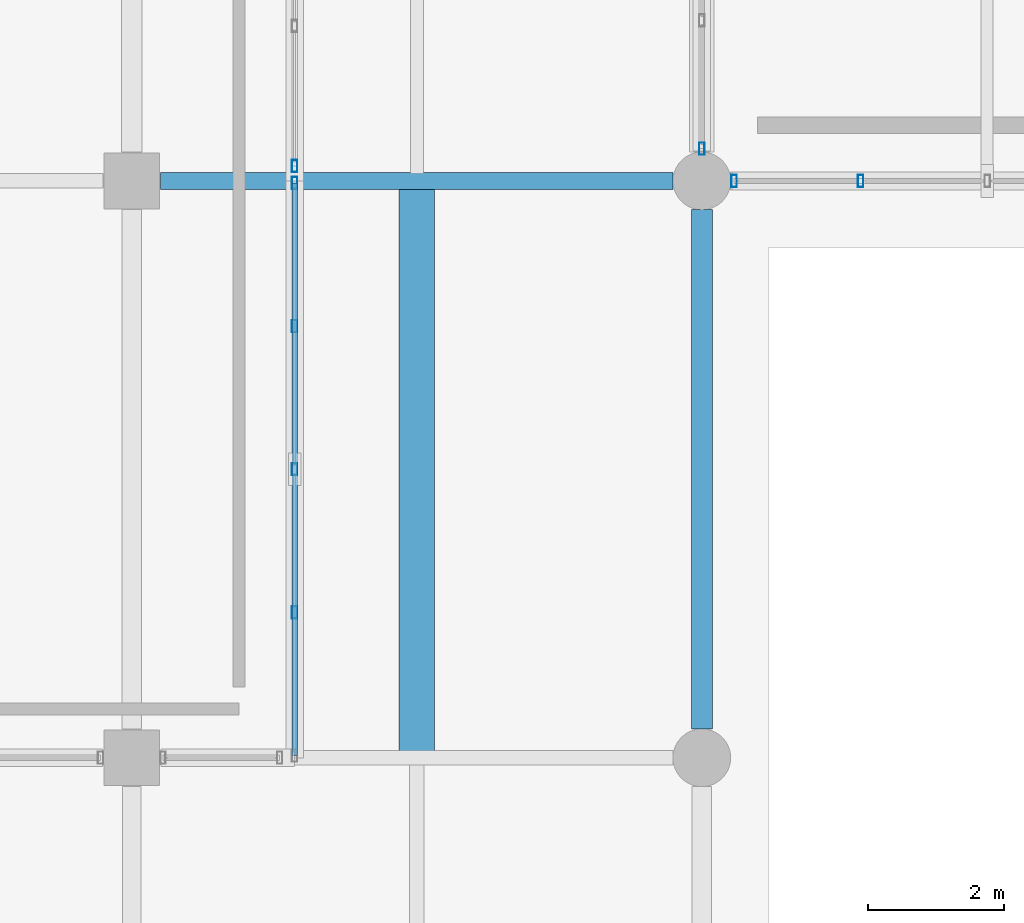
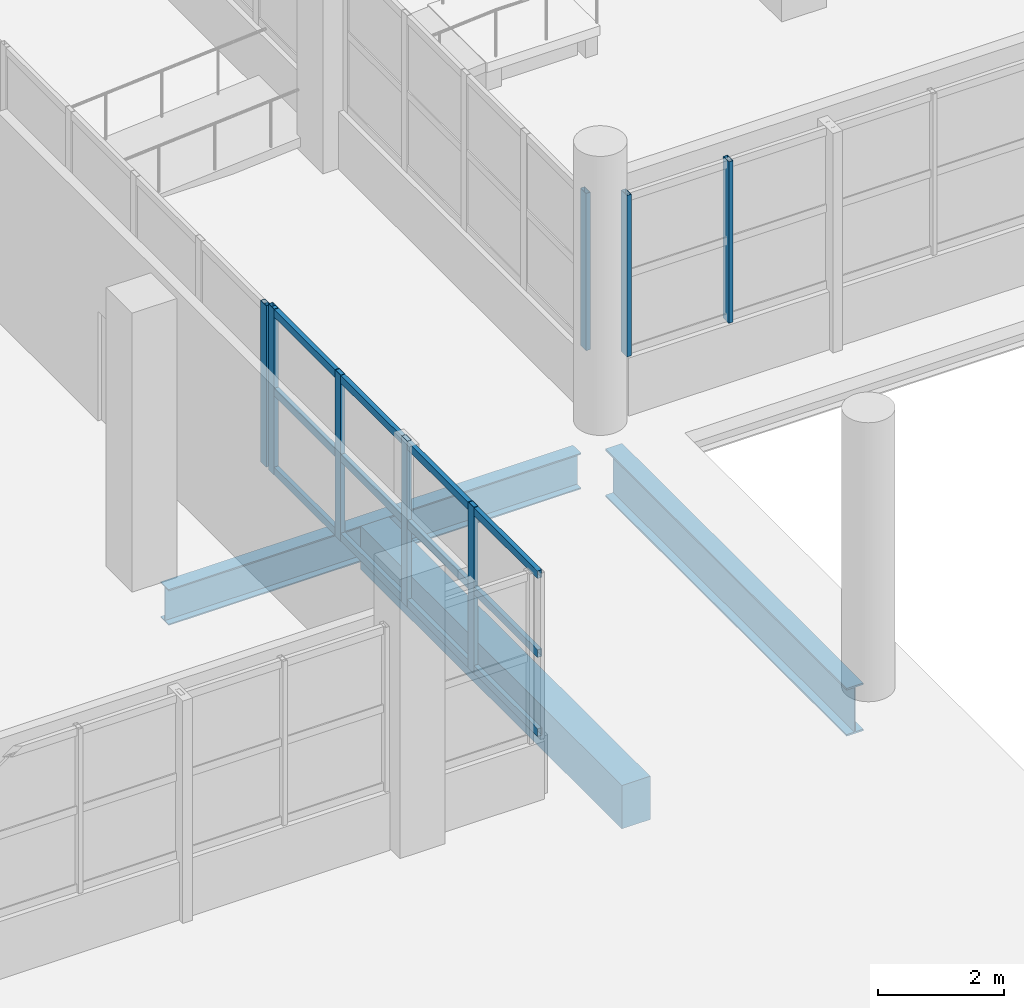
# One storey, part 26 of 107: 11 members, 3 beams, 4 elements without a shape of their own.
"""IFC4 building model written with IfcOpenShell, lengths in metres."""

import ifcopenshell
import ifcopenshell.guid

model = None  # the IFC model being written
_history = None  # IfcOwnerHistory: only IFC2X3 demands one
_inside = {}  # id of a spatial element -> (the spatial element, [elements in it])
_under = {}  # id of a project, library or spatial element -> (it, [spatial elements below it])
_declared = {}  # id of a project -> (the project, [libraries it declares])
_typed = {}  # id of a type object -> (the type object, [elements of that type])
_made_of = {}  # id of a material, layer set ... -> (it, [elements and type objects made of it])


def new_model(schema):
    """Start an empty IFC model of exactly this schema.

    Asked for "IFC4X3", IfcOpenShell would pick the latest addendum, in which some entities
    have other attributes; the version numbers below select the first issue.
    IFC2X3 requires an IfcOwnerHistory on every rooted entity: one is made here for all.
    """
    global model, _history
    if schema == "IFC4X3":
        model = ifcopenshell.file(schema_version=(4, 3, 0, 0))
    else:
        model = ifcopenshell.file(schema=schema)
    _inside.clear()
    _under.clear()
    _declared.clear()
    _typed.clear()
    _made_of.clear()
    _history = None
    if model.schema == "IFC2X3":
        org = make("IfcOrganization", Name="unknown")
        user = make(
            "IfcPersonAndOrganization",
            ThePerson=make("IfcPerson", FamilyName="unknown"),
            TheOrganization=org,
        )
        app = make(
            "IfcApplication",
            ApplicationDeveloper=org,
            Version="unknown",
            ApplicationFullName="unknown",
            ApplicationIdentifier="unknown",
        )
        _history = make(
            "IfcOwnerHistory",
            OwningUser=user,
            OwningApplication=app,
            ChangeAction="ADDED",
            CreationDate=0,
        )
    return model


def make(cls, **values):
    """One entity of the class cls with the attributes given. An attribute that is None is left unset."""
    return model.create_entity(
        cls, **{name: value for name, value in values.items() if value is not None}
    )


def rooted(cls, **values):
    """An entity with a GlobalId (a new one), such as an element, a storey or a relation."""
    return make(cls, GlobalId=ifcopenshell.guid.new(), OwnerHistory=_history, **values)


def si_unit(unit_type, name, prefix=None):
    """IfcSIUnit, for example si_unit("LENGTHUNIT", "METRE", prefix="MILLI")."""
    return make("IfcSIUnit", UnitType=unit_type, Prefix=prefix, Name=name)


def assignment(units):
    """IfcUnitAssignment: the units of a project."""
    return None if units is None else make("IfcUnitAssignment", Units=units)


def point(xyz):
    """IfcCartesianPoint."""
    return None if xyz is None else make("IfcCartesianPoint", Coordinates=xyz)


def direction(xyz):
    """IfcDirection."""
    return None if xyz is None else make("IfcDirection", DirectionRatios=xyz)


def frame(location, z_axis=None, x_axis=None):
    """IfcAxis2Placement3D, a coordinate frame: its origin and axes. An axis left out is left unset."""
    return make(
        "IfcAxis2Placement3D",
        Location=point(location),
        Axis=direction(z_axis),
        RefDirection=direction(x_axis),
    )


def frame_2d(location, x_axis=None):
    """IfcAxis2Placement2D, a coordinate frame in the plane: its origin and x axis."""
    return make(
        "IfcAxis2Placement2D", Location=point(location), RefDirection=direction(x_axis)
    )


def origin():
    """The frame at (0, 0, 0) with its axes left unset."""
    return frame((0.0, 0.0, 0.0))


def origin_2d():
    """The frame at (0, 0) in the plane with its x axis left unset."""
    return frame_2d((0.0, 0.0))


def place(relative_to, where):
    """IfcLocalPlacement: puts the frame where relative to a parent placement (None: the world)."""
    return make(
        "IfcLocalPlacement", PlacementRelTo=relative_to, RelativePlacement=where
    )


def context(
    kind, dimensions, precision=None, world=None, true_north=None, identifier=None
):
    """IfcGeometricRepresentationContext, for example the 3D "Model" context."""
    return make(
        "IfcGeometricRepresentationContext",
        ContextIdentifier=identifier,
        ContextType=kind,
        CoordinateSpaceDimension=dimensions,
        Precision=precision,
        WorldCoordinateSystem=world,
        TrueNorth=true_north,
    )


def subcontext(parent, identifier, kind, view, scale=None):
    """IfcGeometricRepresentationSubContext, for example "Body" below "Model"."""
    return make(
        "IfcGeometricRepresentationSubContext",
        ContextIdentifier=identifier,
        ContextType=kind,
        ParentContext=parent,
        TargetScale=scale,
        TargetView=view,
    )


def project(units=None, contexts=None):
    """IfcProject with its units and contexts."""
    return rooted(
        "IfcProject",
        Name="project",
        RepresentationContexts=contexts,
        UnitsInContext=assignment(units),
    )


def spatial(cls, under=None, at=None, **own):
    """A site, building, storey or space (cls), placed at a placement, below another one or the project."""
    s = rooted(cls, ObjectPlacement=at, **own)
    if under is not None:
        _under.setdefault(under.id(), (under, []))[1].append(s)
    return s


def profile(cls, at=None, kind="AREA", **sizes):
    """A parametric profile (cls). Its sizes go by their IFC names, for example OverallWidth=200.0."""
    return make(cls, ProfileType=kind, Position=at, **sizes)


def rectangle(**sizes):
    """IfcRectangleProfileDef."""
    return profile("IfcRectangleProfileDef", **sizes)


def hollow_rectangle(**sizes):
    """IfcRectangleHollowProfileDef."""
    return profile("IfcRectangleHollowProfileDef", **sizes)


def i_section(**sizes):
    """IfcIShapeProfileDef."""
    return profile("IfcIShapeProfileDef", **sizes)


def extrude(swept, where, along, depth):
    """IfcExtrudedAreaSolid: the profile swept, set in the frame where, extruded along a direction by depth."""
    return make(
        "IfcExtrudedAreaSolid",
        SweptArea=swept,
        Position=where,
        ExtrudedDirection=direction(along),
        Depth=depth,
    )


def shape(context_of_items, identifier, shape_type, items):
    """IfcShapeRepresentation: the items that make up one representation, for example the "Body"."""
    return make(
        "IfcShapeRepresentation",
        ContextOfItems=context_of_items,
        RepresentationIdentifier=identifier,
        RepresentationType=shape_type,
        Items=items,
    )


def material(Name=None, Category=None):
    """IfcMaterial."""
    return make("IfcMaterial", Name=Name, Category=Category)


def material_profile(
    of_material, cross_section, Name=None, Category=None, Priority=None
):
    """IfcMaterialProfile: a cross section and its material."""
    return make(
        "IfcMaterialProfile",
        Name=Name,
        Material=of_material,
        Profile=cross_section,
        Priority=Priority,
        Category=Category,
    )


def profile_set(profiles, Name=None, composite=None):
    """IfcMaterialProfileSet."""
    return make(
        "IfcMaterialProfileSet",
        Name=Name,
        MaterialProfiles=profiles,
        CompositeProfile=composite,
    )


def made_of(thing, what):
    """Note that an element or type object is made of a material, layer set ...; save() writes the relation."""
    if what is not None:
        _made_of.setdefault(what.id(), (what, []))[1].append(thing)
    return thing


def type_object(cls, material=None, **own):
    """A type object (cls), such as IfcWallType, which elements share."""
    return made_of(rooted(cls, **own), material)


def element(
    cls,
    number,
    at=None,
    inside=None,
    cuts=None,
    type_object=None,
    material=None,
    context=None,
    identifier="Body",
    shape_type=None,
    held_by="IfcProductDefinitionShape",
    body=None,
    shapes=None,
    **own,
):
    """One element of the class cls, such as IfcWall. Its Tag is "e" and its number.

    at: its placement. inside: the storey or other place that contains it. cuts: it is an
    opening in that element (IfcRelVoidsElement). A single representation is given by context,
    identifier, shape_type and body (its items); several are given by shapes. held_by: the class
    of the entity that holds the representations. save() writes the other relations.
    """
    e = rooted(cls, Tag="e%d" % number, ObjectPlacement=at, **own)
    if body is not None:
        shapes = [shape(context, identifier, shape_type, body)]
    if shapes is not None:
        e.Representation = make(held_by, Representations=shapes)
    if inside is not None:
        _inside.setdefault(inside.id(), (inside, []))[1].append(e)
    if cuts is not None:
        rooted(
            "IfcRelVoidsElement", RelatingBuildingElement=cuts, RelatedOpeningElement=e
        )
    if type_object is not None:
        _typed.setdefault(type_object.id(), (type_object, []))[1].append(e)
    return made_of(e, material)


def aggregate(whole, parts):
    """IfcRelAggregates: a whole, such as a stair, and the parts it consists of."""
    return rooted("IfcRelAggregates", RelatingObject=whole, RelatedObjects=parts)


def save(model, path):
    """Write the relations noted so far, then the file.

    IfcRelAggregates (storeys below a building ...), IfcRelContainedInSpatialStructure (elements
    in a storey), IfcRelDefinesByType, IfcRelAssociatesMaterial and IfcRelDeclares: one each for
    every whole, place, type object, material and project.
    """
    for whole, parts in _under.values():
        aggregate(whole, parts)
    for where, things in _inside.values():
        rooted(
            "IfcRelContainedInSpatialStructure",
            RelatedElements=things,
            RelatingStructure=where,
        )
    for kind, things in _typed.values():
        rooted("IfcRelDefinesByType", RelatedObjects=things, RelatingType=kind)
    for what, things in _made_of.values():
        rooted("IfcRelAssociatesMaterial", RelatedObjects=things, RelatingMaterial=what)
    for by, libraries in _declared.values():
        rooted("IfcRelDeclares", RelatingContext=by, RelatedDefinitions=libraries)
    model.write(path)


model = new_model("IFC4")

# Units and contexts
model_context = context("Model", 3, precision=1e-05, world=origin(), true_north=direction((0.0, 1.0)))
body_context = subcontext(model_context, "Body", "Model", "MODEL_VIEW")
ifc_project = project(units=[si_unit("LENGTHUNIT", "METRE"), si_unit("AREAUNIT", "SQUARE_METRE"), si_unit("VOLUMEUNIT", "CUBIC_METRE"), si_unit("PLANEANGLEUNIT", "RADIAN"), si_unit("MASSUNIT", "GRAM", prefix="KILO")], contexts=[model_context])

# Site, building, storey
site_placement = place(None, origin())
site = spatial("IfcSite", under=ifc_project, at=site_placement, CompositionType="ELEMENT")
building_placement = place(site_placement, origin())
building = spatial("IfcBuilding", under=site, at=building_placement, Name="Solvento Point Concert Hall", CompositionType="ELEMENT")
storey_placement = place(building_placement, origin())
storey = spatial("IfcBuildingStorey", under=building, at=storey_placement, Name="L00", CompositionType="ELEMENT", Elevation=0.0)

# Beams
ifc_material_1 = material(Name="Concrete C35/45", Category="concrete")
ifc_material_profile_1 = material_profile(ifc_material_1, rectangle(XDim=0.52001953125, YDim=0.840087890625, at=origin_2d()), Name="RC-BM-520X840")
ifc_profile_set_1 = profile_set([ifc_material_profile_1], Name="Concrete C35/45")
beam_type_1 = type_object("IfcBeamType", Name="Beam_RC_520x840", PredefinedType="BEAM", material=ifc_profile_set_1)
beam_1_placement = place(storey_placement, frame((19.800048828125, 110.592041015625, -0.833984375), z_axis=(0.0, 1.0, 0.0), x_axis=(-1.0, 0.0, 0.0)))
element("IfcBeam", 1, at=beam_1_placement, inside=storey, type_object=beam_type_1, Name="Secondary floor joist B-54 L00", PredefinedType="BEAM", context=body_context, shape_type="SweptSolid", body=[
    extrude(rectangle(XDim=0.52001953125, YDim=0.840087890625, at=origin_2d()), origin(), (0.0, 0.0, 1.0), 8.294921875),
])
ifc_material_2 = material(Name="Structural Steel ASTM A992 Grade 50", Category="steel")
ifc_material_profile_2 = material_profile(ifc_material_2, i_section(OverallWidth=0.256103515625, OverallDepth=0.693115234375, WebThickness=0.014404296875, FlangeThickness=0.023681640625, at=origin_2d()), Name="W27X114")
ifc_profile_set_2 = profile_set([ifc_material_profile_2], Name="Structural Steel ASTM A992 Grade 50")
beam_type_2 = type_object("IfcBeamType", Name="Girder_W27X114", PredefinedType="USERDEFINED", material=ifc_profile_set_2)
beam_2_placement = place(storey_placement, frame((16.02392578125, 119.0, -0.760498046875), z_axis=(1.0, 0.0, 0.0), x_axis=(0.0, 1.0, 0.0)))
element("IfcBeam", 2, at=beam_2_placement, inside=storey, type_object=beam_type_2, Name="Primary girder B-23 L00", ObjectType="GIRDER", PredefinedType="USERDEFINED", context=body_context, shape_type="SweptSolid", body=[
    extrude(i_section(OverallWidth=0.256103515625, OverallDepth=0.693115234375, WebThickness=0.014404296875, FlangeThickness=0.023681640625, at=origin_2d()), origin(), (0.0, 0.0, 1.0), 7.552001953125),
])
ifc_material_3 = material(Name="Structural Steel ASTM A992 Grade 50", Category="steel")
ifc_material_profile_3 = material_profile(ifc_material_3, i_section(OverallWidth=0.3076171875, OverallDepth=0.927001953125, WebThickness=0.019287109375, FlangeThickness=0.031982421875, at=origin_2d()), Name="W36X194")
ifc_profile_set_3 = profile_set([ifc_material_profile_3], Name="Structural Steel ASTM A992 Grade 50")
beam_type_3 = type_object("IfcBeamType", Name="Girder_W36X194", PredefinedType="USERDEFINED", material=ifc_profile_set_3)
beam_3_placement = place(storey_placement, frame((24.0, 110.924072265625, -0.70751953125), z_axis=(0.0, 1.0, 0.0), x_axis=(-1.0, 0.0, 0.0)))
element("IfcBeam", 3, at=beam_3_placement, inside=storey, type_object=beam_type_3, Name="Primary girder B-61 L00", ObjectType="GIRDER", PredefinedType="USERDEFINED", context=body_context, shape_type="SweptSolid", body=[
    extrude(i_section(OverallWidth=0.3076171875, OverallDepth=0.927001953125, WebThickness=0.019287109375, FlangeThickness=0.031982421875, at=origin_2d()), origin(), (0.0, 0.0, 1.0), 7.65185546875),
])

# Curtain wall, members
ifc_material_4 = material(Name="Anodized Bronze Aluminium", Category="aluminium")
curtain_wall_type = type_object("IfcCurtainWallType", Name="CurtainWall_CourtPilotis", PredefinedType="USERDEFINED", material=ifc_material_4)
curtain_wall_1_placement = place(storey_placement, origin())
curtain_wall_1 = element("IfcCurtainWall", 4, at=curtain_wall_1_placement, inside=storey, type_object=curtain_wall_type, Name="Unitised curtain wall CW-96 UCW-L00-022", ObjectType="UNITISED CURTAIN WALL", PredefinedType="USERDEFINED")
ifc_material_5 = material(Name="Anodized Bronze Aluminium", Category="aluminium")
ifc_material_profile_4 = material_profile(ifc_material_5, hollow_rectangle(XDim=0.080078125, YDim=0.179931640625, WallThickness=0.00390625, at=origin_2d()), Name="CW-MUL-80X180")
ifc_profile_set_4 = profile_set([ifc_material_profile_4], Name="Anodized Bronze Aluminium")
member_type_1 = type_object("IfcMemberType", Name="Mullion_80x180", PredefinedType="MULLION", material=ifc_profile_set_4)
member_1_placement = place(storey_placement, frame((24.47509765625, 119.0, 1.1201171875), z_axis=(0.0, 0.0, 1.0), x_axis=(1.0, 0.0, 0.0)))
member_1 = element("IfcMember", 5, at=member_1_placement, type_object=member_type_1, Name="Curtain wall mullion ML-01", PredefinedType="MULLION", context=body_context, shape_type="SweptSolid", body=[
    extrude(hollow_rectangle(XDim=0.080078125, YDim=0.179931640625, WallThickness=0.00390625, at=origin_2d()), origin(), (0.0, 0.0, 1.0), 3.125),
])
member_2_placement = place(storey_placement, frame((26.34130859375, 119.0, 1.1201171875), z_axis=(0.0, 0.0, 1.0), x_axis=(1.0, 0.0, 0.0)))
member_2 = element("IfcMember", 6, at=member_2_placement, type_object=member_type_1, Name="Curtain wall mullion ML-01", PredefinedType="MULLION", context=body_context, shape_type="SweptSolid", body=[
    extrude(hollow_rectangle(XDim=0.080078125, YDim=0.179931640625, WallThickness=0.00390625, at=origin_2d()), origin(), (0.0, 0.0, 1.0), 3.125),
])
aggregate(curtain_wall_1, [member_1, member_2])

# Curtain wall, member
curtain_wall_2_placement = place(storey_placement, origin())
curtain_wall_2 = element("IfcCurtainWall", 7, at=curtain_wall_2_placement, inside=storey, type_object=curtain_wall_type, Name="Unitised curtain wall CW-96 UCW-L00-027", ObjectType="UNITISED CURTAIN WALL", PredefinedType="USERDEFINED")
member_3_placement = place(storey_placement, frame((24.0, 119.47509765625, 1.1201171875), z_axis=(0.0, 0.0, 1.0), x_axis=(1.0, 0.0, 0.0)))
member_3 = element("IfcMember", 8, at=member_3_placement, type_object=member_type_1, Name="Curtain wall mullion ML-01", PredefinedType="MULLION", context=body_context, shape_type="SweptSolid", body=[
    extrude(hollow_rectangle(XDim=0.080078125, YDim=0.179931640625, WallThickness=0.00390625, at=origin_2d()), origin(), (0.0, 0.0, 1.0), 3.0439453125),
])
aggregate(curtain_wall_2, [member_3])

# Curtain wall, members
curtain_wall_3_placement = place(storey_placement, origin())
curtain_wall_3 = element("IfcCurtainWall", 9, at=curtain_wall_3_placement, inside=storey, type_object=curtain_wall_type, Name="Unitised curtain wall CW-96 UCW-L00-064", ObjectType="UNITISED CURTAIN WALL", PredefinedType="USERDEFINED")
member_4_placement = place(storey_placement, frame((18.0, 112.639892578125, 1.1201171875), z_axis=(0.0, 0.0, 1.0), x_axis=(1.0, 0.0, 0.0)))
member_4 = element("IfcMember", 10, at=member_4_placement, type_object=member_type_1, Name="Curtain wall mullion ML-01", PredefinedType="MULLION", context=body_context, shape_type="SweptSolid", body=[
    extrude(hollow_rectangle(XDim=0.080078125, YDim=0.179931640625, WallThickness=0.00390625, at=origin_2d()), origin(), (0.0, 0.0, 1.0), 3.2138671875),
])
member_5_placement = place(storey_placement, frame((18.0, 114.75, 1.1201171875), z_axis=(0.0, 0.0, 1.0), x_axis=(1.0, 0.0, 0.0)))
member_5 = element("IfcMember", 11, at=member_5_placement, type_object=member_type_1, Name="Curtain wall mullion ML-01", PredefinedType="MULLION", context=body_context, shape_type="SweptSolid", body=[
    extrude(hollow_rectangle(XDim=0.080078125, YDim=0.179931640625, WallThickness=0.00390625, at=origin_2d()), origin(), (0.0, 0.0, 1.0), 3.2138671875),
])
member_6_placement = place(storey_placement, frame((18.0, 116.860107421875, 1.1201171875), z_axis=(0.0, 0.0, 1.0), x_axis=(1.0, 0.0, 0.0)))
member_6 = element("IfcMember", 12, at=member_6_placement, type_object=member_type_1, Name="Curtain wall mullion ML-01", PredefinedType="MULLION", context=body_context, shape_type="SweptSolid", body=[
    extrude(hollow_rectangle(XDim=0.080078125, YDim=0.179931640625, WallThickness=0.00390625, at=origin_2d()), origin(), (0.0, 0.0, 1.0), 3.2138671875),
])
member_7_placement = place(storey_placement, frame((18.0, 118.969970703125, 1.1201171875), z_axis=(0.0, 0.0, 1.0), x_axis=(1.0, 0.0, 0.0)))
member_7 = element("IfcMember", 13, at=member_7_placement, type_object=member_type_1, Name="Curtain wall mullion ML-01", PredefinedType="MULLION", context=body_context, shape_type="SweptSolid", body=[
    extrude(hollow_rectangle(XDim=0.080078125, YDim=0.179931640625, WallThickness=0.00390625, at=origin_2d()), origin(), (0.0, 0.0, 1.0), 3.2138671875),
])

# Curtain wall, member
curtain_wall_4_placement = place(storey_placement, origin())
curtain_wall_4 = element("IfcCurtainWall", 14, at=curtain_wall_4_placement, inside=storey, type_object=curtain_wall_type, Name="Unitised curtain wall CW-96 UCW-L00-065", ObjectType="UNITISED CURTAIN WALL", PredefinedType="USERDEFINED")
member_8_placement = place(storey_placement, frame((18.0, 119.219970703125, 1.1201171875), z_axis=(0.0, 0.0, 1.0), x_axis=(1.0, 0.0, 0.0)))
member_8 = element("IfcMember", 15, at=member_8_placement, type_object=member_type_1, Name="Curtain wall mullion ML-01", PredefinedType="MULLION", context=body_context, shape_type="SweptSolid", body=[
    extrude(hollow_rectangle(XDim=0.080078125, YDim=0.179931640625, WallThickness=0.00390625, at=origin_2d()), origin(), (0.0, 0.0, 1.0), 3.125),
])
aggregate(curtain_wall_4, [member_8])

# Member
ifc_material_6 = material(Name="Anodized Bronze Aluminium", Category="aluminium")
ifc_material_profile_5 = material_profile(ifc_material_6, hollow_rectangle(XDim=0.080078125, YDim=0.14990234375, WallThickness=0.00390625, at=origin_2d()), Name="CW-TRN-80X150")
ifc_profile_set_5 = profile_set([ifc_material_profile_5], Name="Anodized Bronze Aluminium")
member_type_2 = type_object("IfcMemberType", Name="Transom_80x150", PredefinedType="USERDEFINED", material=ifc_profile_set_5)
member_9_placement = place(storey_placement, frame((18.0, 110.530029296875, 1.199951171875), z_axis=(0.0, 1.0, 0.0), x_axis=(-1.0, 0.0, 0.0)))
member_9 = element("IfcMember", 16, at=member_9_placement, type_object=member_type_2, Name="Curtain wall transom TR-01", ObjectType="TRANSOM", PredefinedType="USERDEFINED", context=body_context, shape_type="SweptSolid", body=[
    extrude(hollow_rectangle(XDim=0.080078125, YDim=0.14990234375, WallThickness=0.00390625, at=origin_2d()), origin(), (0.0, 0.0, 1.0), 8.43994140625),
])

member_10_placement = place(storey_placement, frame((18.0, 110.530029296875, 2.72705078125), z_axis=(0.0, 1.0, 0.0), x_axis=(-1.0, 0.0, 0.0)))
member_10 = element("IfcMember", 17, at=member_10_placement, type_object=member_type_2, Name="Curtain wall transom TR-01", ObjectType="TRANSOM", PredefinedType="USERDEFINED", context=body_context, shape_type="SweptSolid", body=[
    extrude(hollow_rectangle(XDim=0.080078125, YDim=0.14990234375, WallThickness=0.00390625, at=origin_2d()), origin(), (0.0, 0.0, 1.0), 8.43994140625),
])

member_11_placement = place(storey_placement, frame((18.0, 110.530029296875, 4.25390625), z_axis=(0.0, 1.0, 0.0), x_axis=(-1.0, 0.0, 0.0)))
member_11 = element("IfcMember", 18, at=member_11_placement, type_object=member_type_2, Name="Curtain wall transom TR-01", ObjectType="TRANSOM", PredefinedType="USERDEFINED", context=body_context, shape_type="SweptSolid", body=[
    extrude(hollow_rectangle(XDim=0.080078125, YDim=0.14990234375, WallThickness=0.00390625, at=origin_2d()), origin(), (0.0, 0.0, 1.0), 8.43994140625),
])

aggregate(curtain_wall_3, [member_4, member_5, member_6, member_7, member_9, member_10, member_11])

save(model, "model.ifc")
